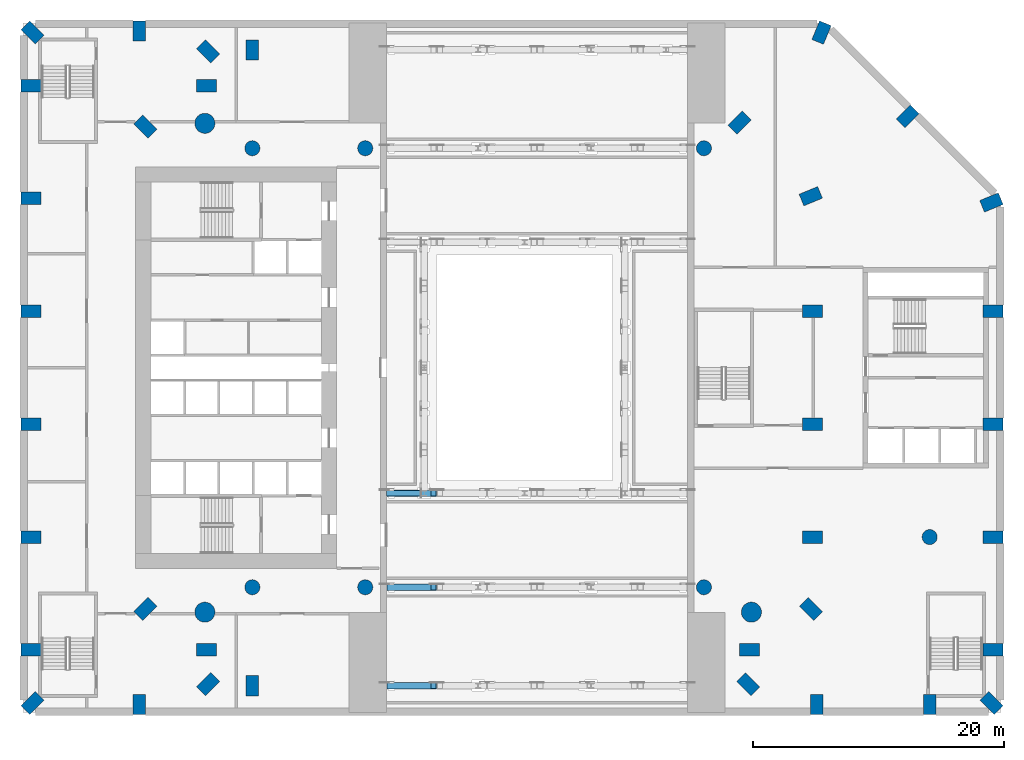
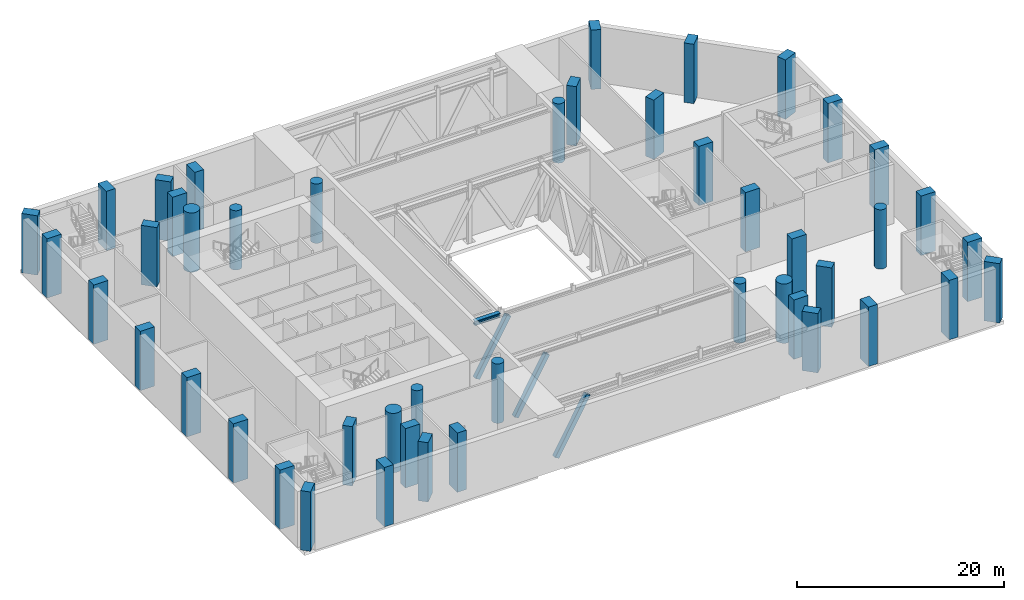
# One storey, part 1 of 21: 46 columns, 4 members.
"""IFC4 building model written with IfcOpenShell, lengths in metres."""

from ifc_helpers import new_model, si_unit, direction, frame, origin, origin_2d, place, context, subcontext, project, spatial, rectangle, hollow_rectangle, circle, i_section, extrude, material, material_profile, profile_set, type_object, element, save


model = new_model("IFC4")

# Units and contexts
model_context = context("Model", 3, precision=1e-05, world=origin(), true_north=direction((0.0, 1.0)))
body_context = subcontext(model_context, "Body", "Model", "MODEL_VIEW")
ifc_project = project(units=[si_unit("LENGTHUNIT", "METRE"), si_unit("AREAUNIT", "SQUARE_METRE"), si_unit("VOLUMEUNIT", "CUBIC_METRE"), si_unit("PLANEANGLEUNIT", "RADIAN"), si_unit("MASSUNIT", "GRAM", prefix="KILO")], contexts=[model_context])

# Site, building, storey
site_placement = place(None, origin())
site = spatial("IfcSite", under=ifc_project, at=site_placement, CompositionType="ELEMENT")
building_placement = place(site_placement, origin())
building = spatial("IfcBuilding", under=site, at=building_placement, Name="Cypress Arch Tower", CompositionType="ELEMENT")
storey_placement = place(building_placement, frame((0.0, 0.0, 29.0)))
storey = spatial("IfcBuildingStorey", under=building, at=storey_placement, Name="L03", CompositionType="ELEMENT", Elevation=29.0)

# Columns
ifc_material_1 = material(Name="Concrete C80/95", Category="concrete")
ifc_material_profile_1 = material_profile(ifc_material_1, circle(Radius=0.60009765625, at=origin_2d()), Name="RC D1200")
ifc_profile_set_1 = profile_set([ifc_material_profile_1], Name="Concrete C80/95")
column_type_1 = type_object("IfcColumnType", Name="Column RC D1200 Concrete C80/95", PredefinedType="COLUMN", material=ifc_profile_set_1)
for number, where, z_axis, x_axis, name in (
    (1, (-20.699951171875, -17.5, 0.0), (0.0, 0.0, 1.0), (1.0, 0.0, 0.0), "Column L03 CIC-L03-CI3S"),
    (2, (-11.699951171875, -17.5, 0.0), (0.0, 0.0, 1.0), (1.0, 0.0, 0.0), "Column L03 CIC-L03-CI4S"),
    (3, (15.300048828125, -17.5, 0.0), (0.0, 0.0, 1.0), (1.0, 0.0, 0.0), "Column L03 CIC-L03-CI7S"),
    (4, (-20.699951171875, 17.5, 0.0), (0.0, 0.0, 1.0), (1.0, 0.0, 0.0), "Column L03 CIC-L03-CI3N"),
    (5, (-11.699951171875, 17.5, 0.0), (0.0, 0.0, 1.0), (1.0, 0.0, 0.0), "Column L03 CIC-L03-CI4N"),
    (6, (15.300048828125, 17.5, 0.0), (0.0, 0.0, 1.0), (1.0, 0.0, 0.0), "Column L03 CIC-L03-CI7N"),
    (7, (33.300048828125, -13.5, 0.0), (0.0, 0.0, 1.0), (1.0, 0.0, 0.0), "Column L03 PIC-L03-01"),
):
    element("IfcColumn", number, at=place(storey_placement, frame(where, z_axis=z_axis, x_axis=x_axis)), inside=storey, type_object=column_type_1, Name=name, PredefinedType="COLUMN", context=body_context, shape_type="SweptSolid", body=[
        extrude(circle(Radius=0.60009765625, at=origin_2d()), origin(), (0.0, 0.0, 1.0), 7.0),
    ])
ifc_material_2 = material(Name="Concrete C80/95", Category="concrete")
ifc_material_profile_2 = material_profile(ifc_material_2, circle(Radius=0.800048828125, at=origin_2d()), Name="RC D1600")
ifc_profile_set_2 = profile_set([ifc_material_profile_2], Name="Concrete C80/95")
column_type_2 = type_object("IfcColumnType", Name="Mega-column RC D1600 Concrete C80/95", PredefinedType="COLUMN", material=ifc_profile_set_2)
for number, where, z_axis, x_axis, name in (
    (8, (-24.48779296875, -19.48779296875, 0.0), (0.0, 0.0, 1.0), (1.0, 0.0, 0.0), "Column L03 CA02"),
    (9, (19.087890625, -19.48779296875, 0.0), (0.0, 0.0, 1.0), (1.0, 0.0, 0.0), "Column L03 CA12"),
    (10, (-24.48779296875, 19.48779296875, 0.0), (0.0, 0.0, 1.0), (1.0, 0.0, 0.0), "Column L03 CA26"),
):
    element("IfcColumn", number, at=place(storey_placement, frame(where, z_axis=z_axis, x_axis=x_axis)), inside=storey, type_object=column_type_2, Name=name, PredefinedType="COLUMN", context=body_context, shape_type="SweptSolid", body=[
        extrude(circle(Radius=0.800048828125, at=origin_2d()), origin(), (0.0, 0.0, 1.0), 7.0),
    ])
ifc_material_3 = material(Name="Concrete C80/95", Category="concrete")
ifc_material_profile_3 = material_profile(ifc_material_3, rectangle(XDim=1.0, YDim=1.60009765625, at=origin_2d()), Name="RC 1000x1600")
ifc_profile_set_3 = profile_set([ifc_material_profile_3], Name="Concrete C80/95")
column_type_3 = type_object("IfcColumnType", Name="Podium column RC 1000x1600 Concrete C80/95", PredefinedType="COLUMN", material=ifc_profile_set_3)
for number, where, z_axis, x_axis, name in (
    (11, (-29.230712890625, 19.230712890625, 0.0), (0.0, 0.0, 1.0), (-0.707106781187, -0.707106781187, 0.0), "Column L03 CA00"),
    (12, (-29.230712890625, -19.230712890625, 0.0), (0.0, 0.0, 1.0), (0.707106781187, -0.707106781187, 0.0), "Column L03 CA01"),
    (13, (-24.35009765625, -22.5, 0.0), (0.0, 0.0, 1.0), (0.0, -1.0, 0.0), "Column L03 CA03"),
    (14, (-24.230712890625, -25.230712890625, 0.0), (0.0, 0.0, 1.0), (0.707106781187, -0.707106781187, 0.0), "Column L03 CA04"),
    (15, (-20.699951171875, -25.35009765625, 0.0), (0.0, 0.0, 1.0), (1.0, 0.0, 0.0), "Column L03 CA05"),
    (16, (18.830810546875, -25.230712890625, 0.0), (0.0, 0.0, 1.0), (0.707106781187, 0.707106781187, 0.0), "Column L03 CA10"),
    (17, (18.949951171875, -22.5, 0.0), (0.0, 0.0, 1.0), (0.0, 1.0, 0.0), "Column L03 CA11"),
    (18, (23.830810546875, -19.230712890625, 0.0), (0.0, 0.0, 1.0), (0.707106781187, 0.707106781187, 0.0), "Column L03 CA13"),
    (19, (23.949951171875, -13.5, 0.0), (0.0, 0.0, 1.0), (0.0, 1.0, 0.0), "Column L03 CA14"),
    (20, (23.949951171875, -4.5, 0.0), (0.0, 0.0, 1.0), (0.0, 1.0, 0.0), "Column L03 CA15"),
    (21, (23.949951171875, 4.5, 0.0), (0.0, 0.0, 1.0), (0.0, 1.0, 0.0), "Column L03 CA16"),
    (22, (23.819580078125, 13.6767578125, 0.0), (0.0, 0.0, 1.0), (-0.382683496864, 0.923879505795, 0.0), "Column L03 CA17"),
    (23, (18.140380859375, 19.540283203125, 0.0), (0.0, 0.0, 1.0), (-0.707106781187, 0.707106781187, 0.0), "Column L03 CA18"),
    (24, (-20.699951171875, 25.35009765625, 0.0), (0.0, 0.0, 1.0), (-1.0, 0.0, 0.0), "Column L03 CA23"),
    (25, (-24.230712890625, 25.230712890625, 0.0), (0.0, 0.0, 1.0), (-0.707106781187, -0.707106781187, 0.0), "Column L03 CA24"),
    (26, (-24.35009765625, 22.5, 0.0), (0.0, 0.0, 1.0), (0.0, -1.0, 0.0), "Column L03 CA25"),
    (27, (-38.230712890625, -26.730712890625, 0.0), (0.0, 0.0, 1.0), (0.707106781187, -0.707106781187, 0.0), "Column L03 CP00"),
    (28, (-29.699951171875, -26.85009765625, 0.0), (0.0, 0.0, 1.0), (1.0, 0.0, 0.0), "Column L03 CP01"),
    (29, (24.300048828125, -26.85009765625, 0.0), (0.0, 0.0, 1.0), (1.0, 0.0, 0.0), "Column L03 CP07"),
    (30, (33.300048828125, -26.85009765625, 0.0), (0.0, 0.0, 1.0), (1.0, 0.0, 0.0), "Column L03 CP08"),
    (31, (38.230712890625, -26.730712890625, 0.0), (0.0, 0.0, 1.0), (0.707106781187, 0.707106781187, 0.0), "Column L03 CP09"),
    (32, (38.35009765625, -22.5, 0.0), (0.0, 0.0, 1.0), (0.0, 1.0, 0.0), "Column L03 CP10"),
    (33, (38.35009765625, -13.5, 0.0), (0.0, 0.0, 1.0), (0.0, 1.0, 0.0), "Column L03 CP11"),
    (34, (38.35009765625, -4.5, 0.0), (0.0, 0.0, 1.0), (0.0, 1.0, 0.0), "Column L03 CP12"),
    (35, (38.35009765625, 4.5, 0.0), (0.0, 0.0, 1.0), (0.0, 1.0, 0.0), "Column L03 CP13"),
    (36, (38.219482421875, 13.1767578125, 0.0), (0.0, 0.0, 1.0), (-0.382683496864, 0.923879505795, 0.0), "Column L03 CP14"),
    (37, (31.540283203125, 20.040283203125, 0.0), (0.0, 0.0, 1.0), (-0.707106781187, 0.707106781187, 0.0), "Column L03 CP15"),
    (38, (24.6767578125, 26.719482421875, 0.0), (0.0, 0.0, 1.0), (-0.923879505795, 0.382683496864, 0.0), "Column L03 CP16"),
    (39, (-29.699951171875, 26.85009765625, 0.0), (0.0, 0.0, 1.0), (-1.0, 0.0, 0.0), "Column L03 CP22"),
    (40, (-38.230712890625, 26.730712890625, 0.0), (0.0, 0.0, 1.0), (-0.707106781187, -0.707106781187, 0.0), "Column L03 CP23"),
    (41, (-38.35009765625, 22.5, 0.0), (0.0, 0.0, 1.0), (0.0, -1.0, 0.0), "Column L03 CP24"),
    (42, (-38.35009765625, 13.5, 0.0), (0.0, 0.0, 1.0), (0.0, -1.0, 0.0), "Column L03 CP25"),
    (43, (-38.35009765625, 4.5, 0.0), (0.0, 0.0, 1.0), (0.0, -1.0, 0.0), "Column L03 CP26"),
    (44, (-38.35009765625, -4.5, 0.0), (0.0, 0.0, 1.0), (0.0, -1.0, 0.0), "Column L03 CP27"),
    (45, (-38.35009765625, -13.5, 0.0), (0.0, 0.0, 1.0), (0.0, -1.0, 0.0), "Column L03 CP28"),
    (46, (-38.35009765625, -22.5, 0.0), (0.0, 0.0, 1.0), (0.0, -1.0, 0.0), "Column L03 CP29"),
):
    element("IfcColumn", number, at=place(storey_placement, frame(where, z_axis=z_axis, x_axis=x_axis)), inside=storey, type_object=column_type_3, Name=name, PredefinedType="COLUMN", context=body_context, shape_type="SweptSolid", body=[
        extrude(rectangle(XDim=1.0, YDim=1.60009765625, at=origin_2d()), origin(), (0.0, 0.0, 1.0), 7.0),
    ])

# Members
ifc_material_4 = material(Name="Steel ASTM A992", Category="steel")
ifc_material_profile_4 = material_profile(ifc_material_4, i_section(OverallWidth=0.45458984375, OverallDepth=0.51318359375, WebThickness=0.060546875, FlangeThickness=0.096923828125, at=origin_2d()), Name="W14x550")
ifc_profile_set_4 = profile_set([ifc_material_profile_4], Name="Steel ASTM A992")
member_type_1 = type_object("IfcMemberType", Name="Transfer truss chord W14x550 Steel ASTM A992", PredefinedType="CHORD", material=ifc_profile_set_4)
member_placement = place(storey_placement, frame((-10.0, -10.0, 6.343505859375), z_axis=(1.0, 0.0, 0.0), x_axis=(0.0, 1.0, 0.0)))
element("IfcMember", 47, at=member_placement, inside=storey, type_object=member_type_1, Name="Transfer truss S10 top chord", PredefinedType="CHORD", context=body_context, shape_type="SweptSolid", body=[
    extrude(i_section(OverallWidth=0.45458984375, OverallDepth=0.51318359375, WebThickness=0.060546875, FlangeThickness=0.096923828125, at=origin_2d()), origin(), (0.0, 0.0, 1.0), 2.795166015625),
])
ifc_material_5 = material(Name="Steel ASTM A500 Grade C", Category="steel")
ifc_material_profile_5 = material_profile(ifc_material_5, hollow_rectangle(XDim=0.508056640625, YDim=0.508056640625, WallThickness=0.017578125, at=origin_2d()), Name="HSS 20x20x3/4")
ifc_profile_set_5 = profile_set([ifc_material_profile_5], Name="Steel ASTM A500 Grade C")
member_type_2 = type_object("IfcMemberType", Name="Transfer truss diagonal HSS 20x20x3/4 Steel ASTM A500 Grade C", PredefinedType="BRACE", material=ifc_profile_set_5)
for number, where, z_axis, x_axis, name in (
    (48, (-9.748291015625, -25.35009765625, -0.272216796875), (0.489346052709, 0.0, 0.872089697622), (0.0, 1.0, 0.0), "Transfer truss SF diagonal 1"),
    (49, (-9.748291015625, -17.5, -0.272216796875), (0.489346052709, 0.0, 0.872089697622), (0.0, 1.0, 0.0), "Transfer truss S17 diagonal 1"),
    (50, (-9.748291015625, -10.0, -0.272216796875), (0.489346052709, 0.0, 0.872089697622), (0.0, 1.0, 0.0), "Transfer truss S10 diagonal 1"),
):
    element("IfcMember", number, at=place(storey_placement, frame(where, z_axis=z_axis, x_axis=x_axis)), inside=storey, type_object=member_type_2, Name=name, PredefinedType="BRACE", context=body_context, shape_type="SweptSolid", body=[
        extrude(hollow_rectangle(XDim=0.508056640625, YDim=0.508056640625, WallThickness=0.017578125, at=origin_2d()), origin(), (0.0, 0.0, 1.0), 7.1455078125),
    ])

save(model, "model.ifc")
